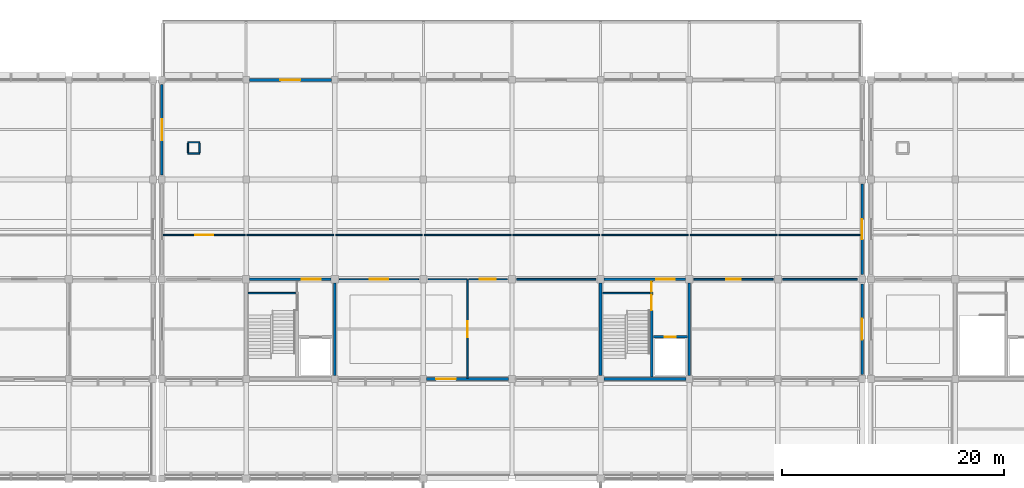
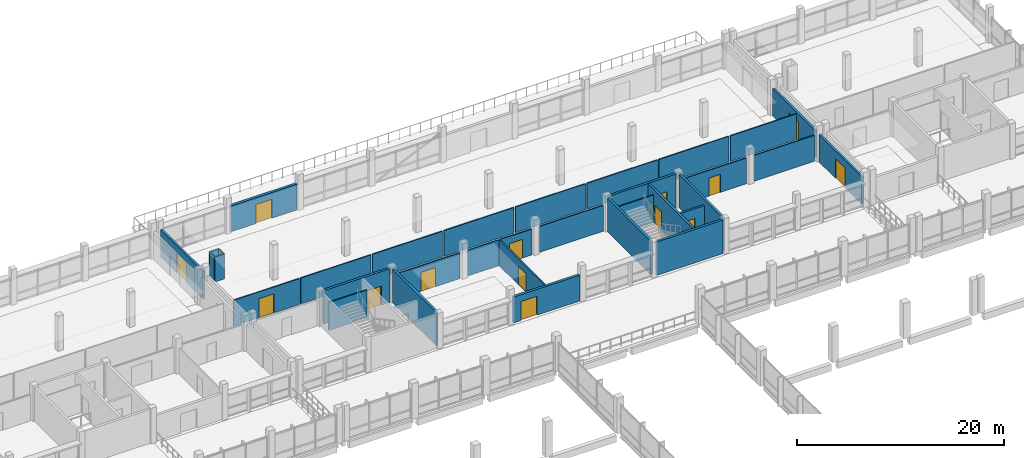
# One storey, part 60 of 70: 34 walls, 15 doors, 15 openings.
"""IFC4 building model written with IfcOpenShell, lengths in metres."""

from ifc_helpers import new_model, si_unit, direction, frame, frame_2d, origin, place, context, subcontext, project, spatial, rectangle, extrude, material, layer, layer_set, type_object, element, fill, save


model = new_model("IFC4")

# Units and contexts
model_context = context("Model", 3, precision=1e-05, world=origin(), true_north=direction((0.0, 1.0)))
body_context = subcontext(model_context, "Body", "Model", "MODEL_VIEW")
ifc_project = project(units=[si_unit("LENGTHUNIT", "METRE"), si_unit("AREAUNIT", "SQUARE_METRE"), si_unit("VOLUMEUNIT", "CUBIC_METRE"), si_unit("PLANEANGLEUNIT", "RADIAN"), si_unit("MASSUNIT", "GRAM", prefix="KILO"), si_unit("THERMODYNAMICTEMPERATUREUNIT", "KELVIN"), si_unit("POWERUNIT", "WATT")], contexts=[model_context])

# Site, building, storey
site_placement = place(None, origin())
site = spatial("IfcSite", under=ifc_project, at=site_placement, CompositionType="ELEMENT")
building_placement = place(site_placement, origin())
building = spatial("IfcBuilding", under=site, at=building_placement, Name="Kronsvod Quay Wholesale Market", CompositionType="ELEMENT")
storey_placement = place(building_placement, frame((0.0, 0.0, 9.0)))
storey = spatial("IfcBuildingStorey", under=building, at=storey_placement, Name="L02", CompositionType="ELEMENT", Elevation=9.0)

# Wall, opening, door
ifc_material_1 = material(Name="Concrete C35/45", Category="concrete")
ifc_layer_1 = layer(ifc_material_1, 0.260009765625)
ifc_layer_set_1 = layer_set([ifc_layer_1], Name="Concrete C35/45")
wall_type_1 = type_object("IfcWallType", Name="Wall_CoreShear260", PredefinedType="SHEAR", material=ifc_layer_set_1)
wall_1_placement = place(storey_placement, frame((72.320068359375, 108.0, 0.0), z_axis=(0.0, 0.0, 1.0), x_axis=(1.0, 0.0, 0.0)))
wall_1 = element("IfcWall", 1, at=wall_1_placement, inside=storey, type_object=wall_type_1, Name="CW-C08-L02-N", PredefinedType="SHEAR", context=body_context, shape_type="SweptSolid", body=[
    extrude(rectangle(XDim=7.35986328125, YDim=0.260009765625, at=frame_2d((3.679931640625, 0.0))), origin(), (0.0, 0.0, 1.0), 3.955078125),
])
opening_1_placement = place(wall_1_placement, frame((4.699951171875, 0.0, 0.0)))
opening_1 = element("IfcOpeningElement", 2, at=opening_1_placement, cuts=wall_1, Name="Opening D-0084", PredefinedType="OPENING", context=body_context, shape_type="SweptSolid", body=[
    extrude(rectangle(XDim=1.699951171875, YDim=2.25, at=frame_2d((0.85009765625, 1.125))), frame((0.0, 0.14013671875, 0.0), z_axis=(0.0, -1.0, 0.0), x_axis=(1.0, 0.0, 0.0)), (0.0, 0.0, 1.0), 0.280029296875),
])
ifc_material_2 = material(Name="Painted galvanized fire steel", Category="steel")
door_type_1 = type_object("IfcDoorType", Name="Door_FireLobby170x225", OperationType="DOUBLE_DOOR_SINGLE_SWING", PredefinedType="DOOR", material=ifc_material_2)
door_1_placement = place(opening_1_placement, origin())
door_1 = element("IfcDoor", 3, at=door_1_placement, inside=storey, type_object=door_type_1, Name="Core Lobby Door D-0084", OperationType="DOUBLE_DOOR_SINGLE_SWING", OverallHeight=2.25, OverallWidth=1.699951171875, PredefinedType="DOOR", context=body_context, shape_type="SweptSolid", body=[
    extrude(rectangle(XDim=1.699951171875, YDim=2.25, at=frame_2d((0.85009765625, 1.125))), frame((0.0, 0.02490234375, 0.0), z_axis=(0.0, -1.0, 0.0), x_axis=(1.0, 0.0, 0.0)), (0.0, 0.0, 1.0), 0.050048828125),
])
fill(opening_1, door_1)

# Walls
wall_2_placement = place(storey_placement, frame((80.0, 99.294921875, 0.0), z_axis=(0.0, 0.0, 1.0), x_axis=(0.0, 1.0, 0.0)))
element("IfcWall", 4, at=wall_2_placement, inside=storey, type_object=wall_type_1, Name="CW-C08-L02-E", PredefinedType="SHEAR", context=body_context, shape_type="SweptSolid", body=[
    extrude(rectangle(XDim=8.385009765625, YDim=0.260009765625, at=frame_2d((4.1923828125, 0.0))), origin(), (0.0, 0.0, 1.0), 3.955078125),
])
wall_3_placement = place(storey_placement, frame((104.294921875, 99.0, 0.0), z_axis=(0.0, 0.0, 1.0), x_axis=(1.0, 0.0, 0.0)))
element("IfcWall", 5, at=wall_3_placement, inside=storey, type_object=wall_type_1, Name="CW-C09-L02-S", PredefinedType="SHEAR", context=body_context, shape_type="SweptSolid", body=[
    extrude(rectangle(XDim=7.41015625, YDim=0.260009765625, at=frame_2d((3.705078125, 0.0))), origin(), (0.0, 0.0, 1.0), 3.955078125),
])

# Wall, opening, door
wall_4_placement = place(storey_placement, frame((104.320068359375, 108.0, 0.0), z_axis=(0.0, 0.0, 1.0), x_axis=(1.0, 0.0, 0.0)))
wall_4 = element("IfcWall", 6, at=wall_4_placement, inside=storey, type_object=wall_type_1, Name="CW-C09-L02-N", PredefinedType="SHEAR", context=body_context, shape_type="SweptSolid", body=[
    extrude(rectangle(XDim=7.35986328125, YDim=0.260009765625, at=frame_2d((3.679931640625, 0.0))), origin(), (0.0, 0.0, 1.0), 3.955078125),
])
opening_2_placement = place(wall_4_placement, frame((4.699951171875, 0.0, 0.0)))
opening_2 = element("IfcOpeningElement", 7, at=opening_2_placement, cuts=wall_4, Name="Opening D-0100", PredefinedType="OPENING", context=body_context, shape_type="SweptSolid", body=[
    extrude(rectangle(XDim=1.64990234375, YDim=2.219970703125, at=frame_2d((0.824951171875, 1.10986328125))), frame((0.0, 0.14013671875, 0.0), z_axis=(0.0, -1.0, 0.0), x_axis=(1.0, 0.0, 0.0)), (0.0, 0.0, 1.0), 0.280029296875),
])
ifc_material_3 = material(Name="Painted galvanized fire steel", Category="steel")
door_type_2 = type_object("IfcDoorType", Name="Door_FireLobby165x222", OperationType="DOUBLE_DOOR_SINGLE_SWING", PredefinedType="DOOR", material=ifc_material_3)
door_2_placement = place(opening_2_placement, origin())
door_2 = element("IfcDoor", 8, at=door_2_placement, inside=storey, type_object=door_type_2, Name="Core Lobby Door D-0100", OperationType="DOUBLE_DOOR_SINGLE_SWING", OverallHeight=2.219970703125, OverallWidth=1.64990234375, PredefinedType="DOOR", context=body_context, shape_type="SweptSolid", body=[
    extrude(rectangle(XDim=1.64990234375, YDim=2.219970703125, at=frame_2d((0.824951171875, 1.10986328125))), frame((0.0, 0.02490234375, 0.0), z_axis=(0.0, -1.0, 0.0), x_axis=(1.0, 0.0, 0.0)), (0.0, 0.0, 1.0), 0.050048828125),
])
fill(opening_2, door_2)

# Walls
for number, where, z_axis, x_axis, name in (
    (9, (104.0, 99.294921875, 0.0), (0.0, 0.0, 1.0), (0.0, 1.0, 0.0), "CW-C09-L02-W"),
    (10, (112.0, 99.294921875, 0.0), (0.0, 0.0, 1.0), (0.0, 1.0, 0.0), "CW-C09-L02-E"),
):
    element("IfcWall", number, at=place(storey_placement, frame(where, z_axis=z_axis, x_axis=x_axis)), inside=storey, type_object=wall_type_1, Name=name, PredefinedType="SHEAR", context=body_context, shape_type="SweptSolid", body=[
        extrude(rectangle(XDim=8.385009765625, YDim=0.260009765625, at=frame_2d((4.1923828125, 0.0))), origin(), (0.0, 0.0, 1.0), 3.955078125),
    ])

# Wall, opening, door
ifc_material_4 = material(Name="Precast concrete C40/50", Category="concrete")
ifc_layer_2 = layer(ifc_material_4, 0.280029296875)
ifc_layer_set_2 = layer_set([ifc_layer_2], Name="Precast concrete C40/50")
wall_type_2 = type_object("IfcWallType", Name="Wall_ExtPrecast280", PredefinedType="SOLIDWALL", material=ifc_layer_set_2)
wall_5_placement = place(storey_placement, frame((88.294921875, 99.0, 0.0), z_axis=(0.0, 0.0, 1.0), x_axis=(1.0, 0.0, 0.0)))
wall_5 = element("IfcWall", 11, at=wall_5_placement, inside=storey, type_object=wall_type_2, Name="EW-X-L02-0180", PredefinedType="SOLIDWALL", context=body_context, shape_type="SweptSolid", body=[
    extrude(rectangle(XDim=7.41015625, YDim=0.280029296875, at=frame_2d((3.705078125, 0.0))), origin(), (0.0, 0.0, 1.0), 3.050048828125),
])
opening_3_placement = place(wall_5_placement, frame((0.85009765625, 0.0, 0.0)))
opening_3 = element("IfcOpeningElement", 12, at=opening_3_placement, cuts=wall_5, Name="Opening ED-054", PredefinedType="OPENING", context=body_context, shape_type="SweptSolid", body=[
    extrude(rectangle(XDim=1.800048828125, YDim=2.25, at=frame_2d((0.89990234375, 1.125))), frame((0.0, 0.14990234375, 0.0), z_axis=(0.0, -1.0, 0.0), x_axis=(1.0, 0.0, 0.0)), (0.0, 0.0, 1.0), 0.300048828125),
])
ifc_material_5 = material(Name="Thermally broken aluminium and glass", Category="aluminium")
door_type_3 = type_object("IfcDoorType", Name="Door_GardenDouble180x225", OperationType="DOUBLE_DOOR_SINGLE_SWING", PredefinedType="DOOR", material=ifc_material_5)
door_3_placement = place(opening_3_placement, frame((1.800048828125, 0.0, 0.0), z_axis=(0.0, 0.0, 1.0), x_axis=(-1.0, 0.0, 0.0)))
door_3 = element("IfcDoor", 13, at=door_3_placement, inside=storey, type_object=door_type_3, Name="Terrace Access Door ED-054", OperationType="DOUBLE_DOOR_SINGLE_SWING", OverallHeight=2.25, OverallWidth=1.800048828125, PredefinedType="DOOR", context=body_context, shape_type="SweptSolid", body=[
    extrude(rectangle(XDim=1.800048828125, YDim=2.25, at=frame_2d((0.89990234375, 1.125))), frame((0.0, 0.02490234375, 0.0), z_axis=(0.0, -1.0, 0.0), x_axis=(1.0, 0.0, 0.0)), (0.0, 0.0, 1.0), 0.050048828125),
])
fill(opening_3, door_3)

wall_6_placement = place(storey_placement, frame((79.705078125, 126.0, 0.0), z_axis=(0.0, 0.0, 1.0), x_axis=(-1.0, 0.0, 0.0)))
wall_6 = element("IfcWall", 14, at=wall_6_placement, inside=storey, type_object=wall_type_2, Name="EW-X-L02-0181", PredefinedType="SOLIDWALL", context=body_context, shape_type="SweptSolid", body=[
    extrude(rectangle(XDim=7.41015625, YDim=0.280029296875, at=frame_2d((3.705078125, 0.0))), origin(), (0.0, 0.0, 1.0), 3.050048828125),
])
opening_4_placement = place(wall_6_placement, frame((2.804931640625, 0.0, 0.0)))
opening_4 = element("IfcOpeningElement", 15, at=opening_4_placement, cuts=wall_6, Name="Opening ED-055", PredefinedType="OPENING", context=body_context, shape_type="SweptSolid", body=[
    extrude(rectangle(XDim=1.800048828125, YDim=2.25, at=frame_2d((0.89990234375, 1.125))), frame((0.0, 0.14990234375, 0.0), z_axis=(0.0, -1.0, 0.0), x_axis=(1.0, 0.0, 0.0)), (0.0, 0.0, 1.0), 0.300048828125),
])
door_4_placement = place(opening_4_placement, frame((1.800048828125, 0.0, 0.0), z_axis=(0.0, 0.0, 1.0), x_axis=(-1.0, 0.0, 0.0)))
door_4 = element("IfcDoor", 16, at=door_4_placement, inside=storey, type_object=door_type_3, Name="Harbour Balcony Door ED-055", OperationType="DOUBLE_DOOR_SINGLE_SWING", OverallHeight=2.25, OverallWidth=1.800048828125, PredefinedType="DOOR", context=body_context, shape_type="SweptSolid", body=[
    extrude(rectangle(XDim=1.800048828125, YDim=2.25, at=frame_2d((0.89990234375, 1.125))), frame((0.0, 0.02490234375, 0.0), z_axis=(0.0, -1.0, 0.0), x_axis=(1.0, 0.0, 0.0)), (0.0, 0.0, 1.0), 0.050048828125),
])
fill(opening_4, door_4)

ifc_material_6 = material(Name="Precast concrete C40/50", Category="concrete")
ifc_layer_3 = layer(ifc_material_6, 0.239990234375)
ifc_layer_set_3 = layer_set([ifc_layer_3], Name="Precast concrete C40/50")
wall_type_3 = type_object("IfcWallType", Name="Wall_ExtSpandrel240", PredefinedType="SOLIDWALL", material=ifc_layer_set_3)
wall_7_placement = place(storey_placement, frame((64.39990234375, 117.419921875, 0.0), z_axis=(0.0, 0.0, 1.0), x_axis=(0.0, 1.0, 0.0)))
wall_7 = element("IfcWall", 17, at=wall_7_placement, inside=storey, type_object=wall_type_3, Name="MJWG-L02-644-1170", PredefinedType="SOLIDWALL", context=body_context, shape_type="SweptSolid", body=[
    extrude(rectangle(XDim=8.16015625, YDim=0.239990234375, at=frame_2d((4.080078125, 0.0))), origin(), (0.0, 0.0, 1.0), 3.239990234375),
])
opening_5_placement = place(wall_7_placement, frame((3.1298828125, 0.0, 0.0)))
opening_5 = element("IfcOpeningElement", 18, at=opening_5_placement, cuts=wall_7, Name="Opening D-0381", PredefinedType="OPENING", context=body_context, shape_type="SweptSolid", body=[
    extrude(rectangle(XDim=1.89990234375, YDim=2.35009765625, at=frame_2d((0.949951171875, 1.175048828125))), frame((0.0, 0.1298828125, 0.0), z_axis=(0.0, -1.0, 0.0), x_axis=(1.0, 0.0, 0.0)), (0.0, 0.0, 1.0), 0.260009765625),
])
ifc_material_7 = material(Name="Painted galvanized fire steel", Category="steel")
door_type_4 = type_object("IfcDoorType", Name="Door_FireComp190x235", OperationType="DOUBLE_DOOR_SINGLE_SWING", PredefinedType="DOOR", material=ifc_material_7)
door_5_placement = place(opening_5_placement, origin())
door_5 = element("IfcDoor", 19, at=door_5_placement, inside=storey, type_object=door_type_4, Name="Fire Compartment Door D-0381", OperationType="DOUBLE_DOOR_SINGLE_SWING", OverallHeight=2.35009765625, OverallWidth=1.89990234375, PredefinedType="DOOR", context=body_context, shape_type="SweptSolid", body=[
    extrude(rectangle(XDim=1.89990234375, YDim=2.35009765625, at=frame_2d((0.949951171875, 1.175048828125))), frame((0.0, 0.02490234375, 0.0), z_axis=(0.0, -1.0, 0.0), x_axis=(1.0, 0.0, 0.0)), (0.0, 0.0, 1.0), 0.050048828125),
])
fill(opening_5, door_5)

wall_8_placement = place(storey_placement, frame((127.60009765625, 99.419921875, 0.0), z_axis=(0.0, 0.0, 1.0), x_axis=(0.0, 1.0, 0.0)))
wall_8 = element("IfcWall", 20, at=wall_8_placement, inside=storey, type_object=wall_type_3, Name="MJWG-L02-1276-990", PredefinedType="SOLIDWALL", context=body_context, shape_type="SweptSolid", body=[
    extrude(rectangle(XDim=8.16015625, YDim=0.239990234375, at=frame_2d((4.080078125, 0.0))), origin(), (0.0, 0.0, 1.0), 3.239990234375),
])
opening_6_placement = place(wall_8_placement, frame((3.1298828125, 0.0, 0.0)))
opening_6 = element("IfcOpeningElement", 21, at=opening_6_placement, cuts=wall_8, Name="Opening D-0383", PredefinedType="OPENING", context=body_context, shape_type="SweptSolid", body=[
    extrude(rectangle(XDim=1.89990234375, YDim=2.35009765625, at=frame_2d((0.949951171875, 1.175048828125))), frame((0.0, 0.1298828125, 0.0), z_axis=(0.0, -1.0, 0.0), x_axis=(1.0, 0.0, 0.0)), (0.0, 0.0, 1.0), 0.260009765625),
])
door_6_placement = place(opening_6_placement, origin())
door_6 = element("IfcDoor", 22, at=door_6_placement, inside=storey, type_object=door_type_4, Name="Fire Compartment Door D-0383", OperationType="DOUBLE_DOOR_SINGLE_SWING", OverallHeight=2.35009765625, OverallWidth=1.89990234375, PredefinedType="DOOR", context=body_context, shape_type="SweptSolid", body=[
    extrude(rectangle(XDim=1.89990234375, YDim=2.35009765625, at=frame_2d((0.949951171875, 1.175048828125))), frame((0.0, 0.02490234375, 0.0), z_axis=(0.0, -1.0, 0.0), x_axis=(1.0, 0.0, 0.0)), (0.0, 0.0, 1.0), 0.050048828125),
])
fill(opening_6, door_6)

wall_9_placement = place(storey_placement, frame((127.60009765625, 108.419921875, 0.0), z_axis=(0.0, 0.0, 1.0), x_axis=(0.0, 1.0, 0.0)))
wall_9 = element("IfcWall", 23, at=wall_9_placement, inside=storey, type_object=wall_type_3, Name="MJWG-L02-1276-1080", PredefinedType="SOLIDWALL", context=body_context, shape_type="SweptSolid", body=[
    extrude(rectangle(XDim=8.16015625, YDim=0.239990234375, at=frame_2d((4.080078125, 0.0))), origin(), (0.0, 0.0, 1.0), 3.239990234375),
])
opening_7_placement = place(wall_9_placement, frame((3.179931640625, 0.0, 0.0)))
opening_7 = element("IfcOpeningElement", 24, at=opening_7_placement, cuts=wall_9, Name="Opening D-0384", PredefinedType="OPENING", context=body_context, shape_type="SweptSolid", body=[
    extrude(rectangle(XDim=1.800048828125, YDim=2.300048828125, at=frame_2d((0.89990234375, 1.14990234375))), frame((0.0, 0.1298828125, 0.0), z_axis=(0.0, -1.0, 0.0), x_axis=(1.0, 0.0, 0.0)), (0.0, 0.0, 1.0), 0.260009765625),
])
ifc_material_8 = material(Name="Painted galvanized fire steel", Category="steel")
door_type_5 = type_object("IfcDoorType", Name="Door_FireComp180x230", OperationType="DOUBLE_DOOR_SINGLE_SWING", PredefinedType="DOOR", material=ifc_material_8)
door_7_placement = place(opening_7_placement, origin())
door_7 = element("IfcDoor", 25, at=door_7_placement, inside=storey, type_object=door_type_5, Name="Fire Compartment Door D-0384", OperationType="DOUBLE_DOOR_SINGLE_SWING", OverallHeight=2.300048828125, OverallWidth=1.800048828125, PredefinedType="DOOR", context=body_context, shape_type="SweptSolid", body=[
    extrude(rectangle(XDim=1.800048828125, YDim=2.300048828125, at=frame_2d((0.89990234375, 1.14990234375))), frame((0.0, 0.02490234375, 0.0), z_axis=(0.0, -1.0, 0.0), x_axis=(1.0, 0.0, 0.0)), (0.0, 0.0, 1.0), 0.050048828125),
])
fill(opening_7, door_7)

ifc_material_9 = material(Name="Framed acoustic glass hall partition", Category="glass")
ifc_layer_4 = layer(ifc_material_9, 0.114990234375)
ifc_layer_set_4 = layer_set([ifc_layer_4], Name="Framed acoustic glass hall partition")
wall_type_4 = type_object("IfcWallType", Name="Wall_PartGlazed115", PredefinedType="PARTITIONING", material=ifc_layer_set_4)
wall_10_placement = place(storey_placement, frame((80.419921875, 108.0, 0.0), z_axis=(0.0, 0.0, 1.0), x_axis=(1.0, 0.0, 0.0)))
wall_10 = element("IfcWall", 26, at=wall_10_placement, inside=storey, type_object=wall_type_4, Name="PW-L02-0035", PredefinedType="PARTITIONING", context=body_context, shape_type="SweptSolid", body=[
    extrude(rectangle(XDim=7.16015625, YDim=0.114990234375, at=frame_2d((3.580078125, 0.0))), origin(), (0.0, 0.0, 1.0), 3.050048828125),
])
opening_8_placement = place(wall_10_placement, frame((2.7548828125, 0.0, 0.0)))
opening_8 = element("IfcOpeningElement", 27, at=opening_8_placement, cuts=wall_10, Name="Opening D-0289", PredefinedType="OPENING", context=body_context, shape_type="SweptSolid", body=[
    extrude(rectangle(XDim=1.64990234375, YDim=2.25, at=frame_2d((0.824951171875, 1.125))), frame((0.0, 0.0673828125, 0.0), z_axis=(0.0, -1.0, 0.0), x_axis=(1.0, 0.0, 0.0)), (0.0, 0.0, 1.0), 0.135009765625),
])
ifc_material_10 = material(Name="Glazed aluminium dining door", Category="aluminium")
door_type_6 = type_object("IfcDoorType", Name="Door_Canteen165x225", OperationType="DOUBLE_DOOR_SINGLE_SWING", PredefinedType="DOOR", material=ifc_material_10)
door_8_placement = place(opening_8_placement, origin())
door_8 = element("IfcDoor", 28, at=door_8_placement, inside=storey, type_object=door_type_6, Name="Interior Door D-0289", OperationType="DOUBLE_DOOR_SINGLE_SWING", OverallHeight=2.25, OverallWidth=1.64990234375, PredefinedType="DOOR", context=body_context, shape_type="SweptSolid", body=[
    extrude(rectangle(XDim=1.64990234375, YDim=2.25, at=frame_2d((0.824951171875, 1.125))), frame((0.0, 0.02490234375, 0.0), z_axis=(0.0, -1.0, 0.0), x_axis=(1.0, 0.0, 0.0)), (0.0, 0.0, 1.0), 0.050048828125),
])
fill(opening_8, door_8)

# Wall
wall_11_placement = place(storey_placement, frame((88.419921875, 108.0, 0.0), z_axis=(0.0, 0.0, 1.0), x_axis=(1.0, 0.0, 0.0)))
element("IfcWall", 29, at=wall_11_placement, inside=storey, type_object=wall_type_4, Name="PW-L02-0036", PredefinedType="PARTITIONING", context=body_context, shape_type="SweptSolid", body=[
    extrude(rectangle(XDim=3.52001953125, YDim=0.114990234375, at=frame_2d((1.760009765625, 0.0))), origin(), (0.0, 0.0, 1.0), 3.050048828125),
])

# Wall, opening, door
wall_12_placement = place(storey_placement, frame((64.5400390625, 112.0, 0.0), z_axis=(0.0, 0.0, 1.0), x_axis=(1.0, 0.0, 0.0)))
wall_12 = element("IfcWall", 30, at=wall_12_placement, inside=storey, type_object=wall_type_4, Name="PW-L02-0047", PredefinedType="PARTITIONING", context=body_context, shape_type="SweptSolid", body=[
    extrude(rectangle(XDim=7.3798828125, YDim=0.114990234375, at=frame_2d((3.68994140625, 0.0))), origin(), (0.0, 0.0, 1.0), 3.050048828125),
])
opening_9_placement = place(wall_12_placement, frame((2.864990234375, 0.0, 0.0)))
opening_9 = element("IfcOpeningElement", 31, at=opening_9_placement, cuts=wall_12, Name="Opening D-0295", PredefinedType="OPENING", context=body_context, shape_type="SweptSolid", body=[
    extrude(rectangle(XDim=1.64990234375, YDim=2.25, at=frame_2d((0.824951171875, 1.125))), frame((0.0, 0.0673828125, 0.0), z_axis=(0.0, -1.0, 0.0), x_axis=(1.0, 0.0, 0.0)), (0.0, 0.0, 1.0), 0.135009765625),
])
door_9_placement = place(opening_9_placement, origin())
door_9 = element("IfcDoor", 32, at=door_9_placement, inside=storey, type_object=door_type_6, Name="Interior Door D-0295", OperationType="DOUBLE_DOOR_SINGLE_SWING", OverallHeight=2.25, OverallWidth=1.64990234375, PredefinedType="DOOR", context=body_context, shape_type="SweptSolid", body=[
    extrude(rectangle(XDim=1.64990234375, YDim=2.25, at=frame_2d((0.824951171875, 1.125))), frame((0.0, 0.02490234375, 0.0), z_axis=(0.0, -1.0, 0.0), x_axis=(1.0, 0.0, 0.0)), (0.0, 0.0, 1.0), 0.050048828125),
])
fill(opening_9, door_9)

# Walls
for number, where, z_axis, x_axis, name in (
    (33, (72.080078125, 112.0, 0.0), (0.0, 0.0, 1.0), (1.0, 0.0, 0.0), "PW-L02-0048"),
    (34, (80.080078125, 112.0, 0.0), (0.0, 0.0, 1.0), (1.0, 0.0, 0.0), "PW-L02-0049"),
    (35, (88.080078125, 112.0, 0.0), (0.0, 0.0, 1.0), (1.0, 0.0, 0.0), "PW-L02-0050"),
    (36, (96.080078125, 112.0, 0.0), (0.0, 0.0, 1.0), (1.0, 0.0, 0.0), "PW-L02-0051"),
    (37, (104.080078125, 112.0, 0.0), (0.0, 0.0, 1.0), (1.0, 0.0, 0.0), "PW-L02-0052"),
    (38, (112.080078125, 112.0, 0.0), (0.0, 0.0, 1.0), (1.0, 0.0, 0.0), "PW-L02-0053"),
):
    element("IfcWall", number, at=place(storey_placement, frame(where, z_axis=z_axis, x_axis=x_axis)), inside=storey, type_object=wall_type_4, Name=name, PredefinedType="PARTITIONING", context=body_context, shape_type="SweptSolid", body=[
        extrude(rectangle(XDim=7.83984375, YDim=0.114990234375, at=frame_2d((3.919921875, 0.0))), origin(), (0.0, 0.0, 1.0), 3.050048828125),
    ])
wall_13_placement = place(storey_placement, frame((120.080078125, 112.0, 0.0), z_axis=(0.0, 0.0, 1.0), x_axis=(1.0, 0.0, 0.0)))
element("IfcWall", 39, at=wall_13_placement, inside=storey, type_object=wall_type_4, Name="PW-L02-0054", PredefinedType="PARTITIONING", context=body_context, shape_type="SweptSolid", body=[
    extrude(rectangle(XDim=7.3798828125, YDim=0.114990234375, at=frame_2d((3.68994140625, 0.0))), origin(), (0.0, 0.0, 1.0), 3.050048828125),
])

# Wall, opening, door
ifc_material_11 = material(Name="Ceramic-faced kitchen masonry partition", Category="masonry")
ifc_layer_5 = layer(ifc_material_11, 0.14501953125)
ifc_layer_set_5 = layer_set([ifc_layer_5], Name="Ceramic-faced kitchen masonry partition")
wall_type_5 = type_object("IfcWallType", Name="Wall_PartKitchen145", PredefinedType="PARTITIONING", material=ifc_layer_set_5)
wall_14_placement = place(storey_placement, frame((92.0, 99.06005859375, 0.0), z_axis=(0.0, 0.0, 1.0), x_axis=(0.0, 1.0, 0.0)))
wall_14 = element("IfcWall", 40, at=wall_14_placement, inside=storey, type_object=wall_type_5, Name="PW-L02-0034", PredefinedType="PARTITIONING", context=body_context, shape_type="SweptSolid", body=[
    extrude(rectangle(XDim=8.8798828125, YDim=0.14501953125, at=frame_2d((4.43994140625, 0.0))), origin(), (0.0, 0.0, 1.0), 3.050048828125),
])
opening_10_placement = place(wall_14_placement, frame((3.715087890625, 0.0, 0.0)))
opening_10 = element("IfcOpeningElement", 41, at=opening_10_placement, cuts=wall_14, Name="Opening D-0288", PredefinedType="OPENING", context=body_context, shape_type="SweptSolid", body=[
    extrude(rectangle(XDim=1.449951171875, YDim=2.199951171875, at=frame_2d((0.72509765625, 1.10009765625))), frame((0.0, 0.08251953125, 0.0), z_axis=(0.0, -1.0, 0.0), x_axis=(1.0, 0.0, 0.0)), (0.0, 0.0, 1.0), 0.1650390625),
])
ifc_material_12 = material(Name="Stainless kitchen swing door", Category="steel")
door_type_7 = type_object("IfcDoorType", Name="Door_Kitchen145x220", OperationType="DOUBLE_DOOR_DOUBLE_SWING", PredefinedType="DOOR", material=ifc_material_12)
door_10_placement = place(opening_10_placement, origin())
door_10 = element("IfcDoor", 42, at=door_10_placement, inside=storey, type_object=door_type_7, Name="Interior Door D-0288", OperationType="DOUBLE_DOOR_DOUBLE_SWING", OverallHeight=2.199951171875, OverallWidth=1.449951171875, PredefinedType="DOOR", context=body_context, shape_type="SweptSolid", body=[
    extrude(rectangle(XDim=1.449951171875, YDim=2.199951171875, at=frame_2d((0.72509765625, 1.10009765625))), frame((0.0, 0.02490234375, 0.0), z_axis=(0.0, -1.0, 0.0), x_axis=(1.0, 0.0, 0.0)), (0.0, 0.0, 1.0), 0.050048828125),
])
fill(opening_10, door_10)

wall_15_placement = place(storey_placement, frame((92.06005859375, 108.0, 0.0), z_axis=(0.0, 0.0, 1.0), x_axis=(1.0, 0.0, 0.0)))
wall_15 = element("IfcWall", 43, at=wall_15_placement, inside=storey, type_object=wall_type_5, Name="PW-L02-0037", PredefinedType="PARTITIONING", context=body_context, shape_type="SweptSolid", body=[
    extrude(rectangle(XDim=3.52001953125, YDim=0.14501953125, at=frame_2d((1.760009765625, 0.0))), origin(), (0.0, 0.0, 1.0), 3.050048828125),
])
opening_11_placement = place(wall_15_placement, frame((1.034912109375, 0.0, 0.0)))
opening_11 = element("IfcOpeningElement", 44, at=opening_11_placement, cuts=wall_15, Name="Opening D-0290", PredefinedType="OPENING", context=body_context, shape_type="SweptSolid", body=[
    extrude(rectangle(XDim=1.449951171875, YDim=2.199951171875, at=frame_2d((0.72509765625, 1.10009765625))), frame((0.0, 0.08251953125, 0.0), z_axis=(0.0, -1.0, 0.0), x_axis=(1.0, 0.0, 0.0)), (0.0, 0.0, 1.0), 0.1650390625),
])
door_11_placement = place(opening_11_placement, origin())
door_11 = element("IfcDoor", 45, at=door_11_placement, inside=storey, type_object=door_type_7, Name="Interior Door D-0290", OperationType="DOUBLE_DOOR_DOUBLE_SWING", OverallHeight=2.199951171875, OverallWidth=1.449951171875, PredefinedType="DOOR", context=body_context, shape_type="SweptSolid", body=[
    extrude(rectangle(XDim=1.449951171875, YDim=2.199951171875, at=frame_2d((0.72509765625, 1.10009765625))), frame((0.0, 0.02490234375, 0.0), z_axis=(0.0, -1.0, 0.0), x_axis=(1.0, 0.0, 0.0)), (0.0, 0.0, 1.0), 0.050048828125),
])
fill(opening_11, door_11)

# Wall
wall_16_placement = place(storey_placement, frame((96.419921875, 108.0, 0.0), z_axis=(0.0, 0.0, 1.0), x_axis=(1.0, 0.0, 0.0)))
element("IfcWall", 46, at=wall_16_placement, inside=storey, type_object=wall_type_5, Name="PW-L02-0038", PredefinedType="PARTITIONING", context=body_context, shape_type="SweptSolid", body=[
    extrude(rectangle(XDim=7.16015625, YDim=0.14501953125, at=frame_2d((3.580078125, 0.0))), origin(), (0.0, 0.0, 1.0), 3.050048828125),
])

# Wall, opening, door
wall_17_placement = place(storey_placement, frame((112.419921875, 108.0, 0.0), z_axis=(0.0, 0.0, 1.0), x_axis=(1.0, 0.0, 0.0)))
wall_17 = element("IfcWall", 47, at=wall_17_placement, inside=storey, type_object=wall_type_5, Name="PW-L02-0039", PredefinedType="PARTITIONING", context=body_context, shape_type="SweptSolid", body=[
    extrude(rectangle(XDim=7.16015625, YDim=0.14501953125, at=frame_2d((3.580078125, 0.0))), origin(), (0.0, 0.0, 1.0), 3.050048828125),
])
opening_12_placement = place(wall_17_placement, frame((2.929931640625, 0.0, 0.0)))
opening_12 = element("IfcOpeningElement", 48, at=opening_12_placement, cuts=wall_17, Name="Opening D-0291", PredefinedType="OPENING", context=body_context, shape_type="SweptSolid", body=[
    extrude(rectangle(XDim=1.300048828125, YDim=2.14990234375, at=frame_2d((0.64990234375, 1.074951171875))), frame((0.0, 0.08251953125, 0.0), z_axis=(0.0, -1.0, 0.0), x_axis=(1.0, 0.0, 0.0)), (0.0, 0.0, 1.0), 0.1650390625),
])
ifc_material_13 = material(Name="Stainless kitchen swing door", Category="steel")
door_type_8 = type_object("IfcDoorType", Name="Door_Kitchen130x215", OperationType="DOUBLE_DOOR_DOUBLE_SWING", PredefinedType="DOOR", material=ifc_material_13)
door_12_placement = place(opening_12_placement, origin())
door_12 = element("IfcDoor", 49, at=door_12_placement, inside=storey, type_object=door_type_8, Name="Interior Door D-0291", OperationType="DOUBLE_DOOR_DOUBLE_SWING", OverallHeight=2.14990234375, OverallWidth=1.300048828125, PredefinedType="DOOR", context=body_context, shape_type="SweptSolid", body=[
    extrude(rectangle(XDim=1.300048828125, YDim=2.14990234375, at=frame_2d((0.64990234375, 1.074951171875))), frame((0.0, 0.02490234375, 0.0), z_axis=(0.0, -1.0, 0.0), x_axis=(1.0, 0.0, 0.0)), (0.0, 0.0, 1.0), 0.050048828125),
])
fill(opening_12, door_12)

# Walls
wall_18_placement = place(storey_placement, frame((120.419921875, 108.0, 0.0), z_axis=(0.0, 0.0, 1.0), x_axis=(1.0, 0.0, 0.0)))
element("IfcWall", 50, at=wall_18_placement, inside=storey, type_object=wall_type_5, Name="PW-L02-0040", PredefinedType="PARTITIONING", context=body_context, shape_type="SweptSolid", body=[
    extrude(rectangle(XDim=6.760009765625, YDim=0.14501953125, at=frame_2d((3.3798828125, 0.0))), origin(), (0.0, 0.0, 1.0), 3.050048828125),
])
ifc_material_14 = material(Name="Fire-rated shaft riser block wall", Category="masonry")
ifc_layer_6 = layer(ifc_material_14, 0.1201171875)
ifc_layer_set_6 = layer_set([ifc_layer_6], Name="Fire-rated shaft riser block wall")
wall_type_6 = type_object("IfcWallType", Name="Wall_PartRiser120", PredefinedType="PARTITIONING", material=ifc_layer_set_6)
for number, where, z_axis, x_axis, name in (
    (51, (66.739990234375, 119.340087890625, 0.0), (0.0, 0.0, 1.0), (1.0, 0.0, 0.0), "RSRW-SLB-L02-120-S"),
    (52, (66.739990234375, 120.360107421875, 0.0), (0.0, 0.0, 1.0), (1.0, 0.0, 0.0), "RSRW-SLB-L02-120-N"),
):
    element("IfcWall", number, at=place(storey_placement, frame(where, z_axis=z_axis, x_axis=x_axis)), inside=storey, type_object=wall_type_6, Name=name, PredefinedType="PARTITIONING", context=body_context, shape_type="SweptSolid", body=[
        extrude(rectangle(XDim=1.06005859375, YDim=0.1201171875, at=frame_2d((0.530029296875, 0.0))), origin(), (0.0, 0.0, 1.0), 2.949951171875),
    ])
for number, where, z_axis, x_axis, name in (
    (53, (66.760009765625, 119.419921875, 0.0), (0.0, 0.0, 1.0), (0.0, 1.0, 0.0), "RSRW-SLB-L02-120-W"),
    (54, (67.780029296875, 119.419921875, 0.0), (0.0, 0.0, 1.0), (0.0, 1.0, 0.0), "RSRW-SLB-L02-120-E"),
):
    element("IfcWall", number, at=place(storey_placement, frame(where, z_axis=z_axis, x_axis=x_axis)), inside=storey, type_object=wall_type_6, Name=name, PredefinedType="PARTITIONING", context=body_context, shape_type="SweptSolid", body=[
        extrude(rectangle(XDim=0.860107421875, YDim=0.1201171875, at=frame_2d((0.43017578125, 0.0))), origin(), (0.0, 0.0, 1.0), 2.949951171875),
    ])
ifc_material_15 = material(Name="Fire-rated shaft riser block wall", Category="masonry")
ifc_layer_7 = layer(ifc_material_15, 0.1298828125)
ifc_layer_set_7 = layer_set([ifc_layer_7], Name="Fire-rated shaft riser block wall")
wall_type_7 = type_object("IfcWallType", Name="Wall_PartRiser130", PredefinedType="PARTITIONING", material=ifc_layer_set_7)
for number, where, z_axis, x_axis, name in (
    (55, (72.179931640625, 106.75, 0.0), (0.0, 0.0, 1.0), (1.0, 0.0, 0.0), "CW-C08-L02-RSR"),
    (56, (104.179931640625, 106.75, 0.0), (0.0, 0.0, 1.0), (1.0, 0.0, 0.0), "CW-C09-L02-RSR"),
):
    element("IfcWall", number, at=place(storey_placement, frame(where, z_axis=z_axis, x_axis=x_axis)), inside=storey, type_object=wall_type_7, Name=name, PredefinedType="PARTITIONING", context=body_context, shape_type="SweptSolid", body=[
        extrude(rectangle(XDim=4.280029296875, YDim=0.1298828125, at=frame_2d((2.14013671875, 0.0))), origin(), (0.0, 0.0, 1.0), 3.304931640625),
    ])

# Wall, openings, doors
ifc_material_16 = material(Name="Concrete C35/45", Category="concrete")
ifc_layer_8 = layer(ifc_material_16, 0.239990234375)
ifc_layer_set_8 = layer_set([ifc_layer_8], Name="Concrete C35/45")
wall_type_8 = type_object("IfcWallType", Name="Wall_ShaftWall240", PredefinedType="SHEAR", material=ifc_layer_set_8)
wall_19_placement = place(storey_placement, frame((108.60009765625, 99.179931640625, 0.0), z_axis=(0.0, 0.0, 1.0), x_axis=(0.0, 1.0, 0.0)))
wall_19 = element("IfcWall", 57, at=wall_19_placement, inside=storey, type_object=wall_type_8, Name="CW-C09-L02-DIV", PredefinedType="SHEAR", context=body_context, shape_type="SweptSolid", body=[
    extrude(rectangle(XDim=8.64013671875, YDim=0.239990234375, at=frame_2d((4.320068359375, 0.0))), origin(), (0.0, 0.0, 1.0), 3.955078125),
])
opening_13_placement = place(wall_19_placement, frame((6.02001953125, 0.0, 0.0)))
opening_13 = element("IfcOpeningElement", 58, at=opening_13_placement, cuts=wall_19, Name="Opening D-0098", PredefinedType="OPENING", context=body_context, shape_type="SweptSolid", body=[
    extrude(rectangle(XDim=1.3798828125, YDim=2.219970703125, at=frame_2d((0.68994140625, 1.10986328125))), frame((0.0, 0.1298828125, 0.0), z_axis=(0.0, -1.0, 0.0), x_axis=(1.0, 0.0, 0.0)), (0.0, 0.0, 1.0), 0.260009765625),
])
opening_14_placement = place(wall_19_placement, frame((7.679931640625, 0.0, 0.0)))
opening_14 = element("IfcOpeningElement", 59, at=opening_14_placement, cuts=wall_19, Name="Opening D-0099", PredefinedType="OPENING", context=body_context, shape_type="SweptSolid", body=[
    extrude(rectangle(XDim=0.89990234375, YDim=2.050048828125, at=frame_2d((0.449951171875, 1.02490234375))), frame((0.0, 0.1298828125, 0.0), z_axis=(0.0, -1.0, 0.0), x_axis=(1.0, 0.0, 0.0)), (0.0, 0.0, 1.0), 0.260009765625),
])
ifc_material_17 = material(Name="Painted galvanized fire steel", Category="steel")
door_type_9 = type_object("IfcDoorType", Name="Door_FireStair138x222", OperationType="NOTDEFINED", PredefinedType="DOOR", material=ifc_material_17)
door_13_placement = place(opening_13_placement, origin())
door_13 = element("IfcDoor", 60, at=door_13_placement, inside=storey, type_object=door_type_9, Name="Stair Fire Door D-0098", OperationType="SINGLE_SWING_LEFT", OverallHeight=2.219970703125, OverallWidth=1.3798828125, PredefinedType="DOOR", context=body_context, shape_type="SweptSolid", body=[
    extrude(rectangle(XDim=1.3798828125, YDim=2.219970703125, at=frame_2d((0.68994140625, 1.10986328125))), frame((0.0, 0.02490234375, 0.0), z_axis=(0.0, -1.0, 0.0), x_axis=(1.0, 0.0, 0.0)), (0.0, 0.0, 1.0), 0.050048828125),
])
fill(opening_13, door_13)
ifc_material_18 = material(Name="Fire-rated steel riser access door", Category="steel")
door_type_10 = type_object("IfcDoorType", Name="Door_Riser90x205", OperationType="NOTDEFINED", PredefinedType="DOOR", material=ifc_material_18)
door_14_placement = place(opening_14_placement, origin())
door_14 = element("IfcDoor", 61, at=door_14_placement, inside=storey, type_object=door_type_10, Name="Service Riser Door D-0099", OperationType="SINGLE_SWING_RIGHT", OverallHeight=2.050048828125, OverallWidth=0.89990234375, PredefinedType="DOOR", context=body_context, shape_type="SweptSolid", body=[
    extrude(rectangle(XDim=0.89990234375, YDim=2.050048828125, at=frame_2d((0.449951171875, 1.02490234375))), frame((0.0, 0.02490234375, 0.0), z_axis=(0.0, -1.0, 0.0), x_axis=(1.0, 0.0, 0.0)), (0.0, 0.0, 1.0), 0.050048828125),
])
fill(opening_14, door_14)

# Wall, opening, door
wall_20_placement = place(storey_placement, frame((108.75, 102.800048828125, 0.0), z_axis=(0.0, 0.0, 1.0), x_axis=(1.0, 0.0, 0.0)))
wall_20 = element("IfcWall", 62, at=wall_20_placement, inside=storey, type_object=wall_type_8, Name="CW-C09-L02-LSH", PredefinedType="SHEAR", context=body_context, shape_type="SweptSolid", body=[
    extrude(rectangle(XDim=3.070068359375, YDim=0.239990234375, at=frame_2d((1.53515625, 0.0))), origin(), (0.0, 0.0, 1.0), 3.304931640625),
])
opening_15_placement = place(wall_20_placement, frame((1.034912109375, 0.0, 0.0)))
opening_15 = element("IfcOpeningElement", 63, at=opening_15_placement, cuts=wall_20, Name="Opening D-0101", PredefinedType="OPENING", context=body_context, shape_type="SweptSolid", body=[
    extrude(rectangle(XDim=1.0, YDim=2.14990234375, at=frame_2d((0.5, 1.074951171875))), frame((0.0, 0.1298828125, 0.0), z_axis=(0.0, -1.0, 0.0), x_axis=(1.0, 0.0, 0.0)), (0.0, 0.0, 1.0), 0.260009765625),
])
ifc_material_19 = material(Name="Brushed stainless steel", Category="steel")
door_type_11 = type_object("IfcDoorType", Name="Door_LiftLandingPax", OperationType="SLIDING_TO_LEFT", PredefinedType="DOOR", material=ifc_material_19)
door_15_placement = place(opening_15_placement, origin())
door_15 = element("IfcDoor", 64, at=door_15_placement, inside=storey, type_object=door_type_11, Name="Lift Landing Door LFT-P04 L02", OperationType="SLIDING_TO_LEFT", OverallHeight=2.14990234375, OverallWidth=1.0, PredefinedType="DOOR", context=body_context, shape_type="SweptSolid", body=[
    extrude(rectangle(XDim=1.0, YDim=2.14990234375, at=frame_2d((0.5, 1.074951171875))), frame((0.0, 0.02490234375, 0.0), z_axis=(0.0, -1.0, 0.0), x_axis=(1.0, 0.0, 0.0)), (0.0, 0.0, 1.0), 0.050048828125),
])
fill(opening_15, door_15)

save(model, "model.ifc")
